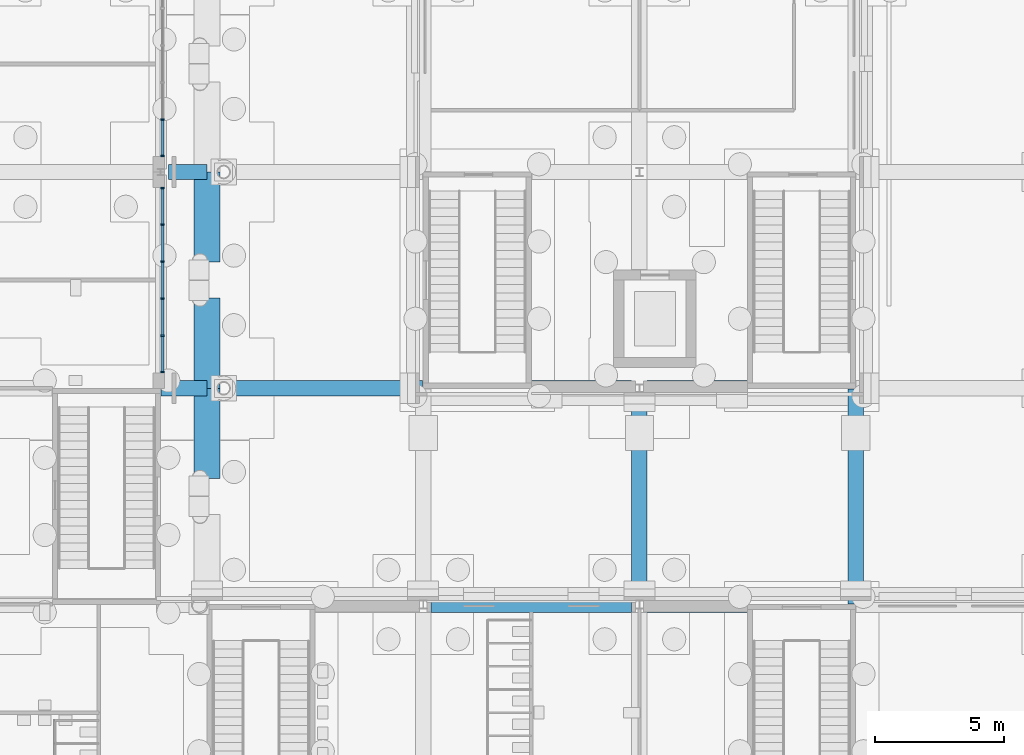
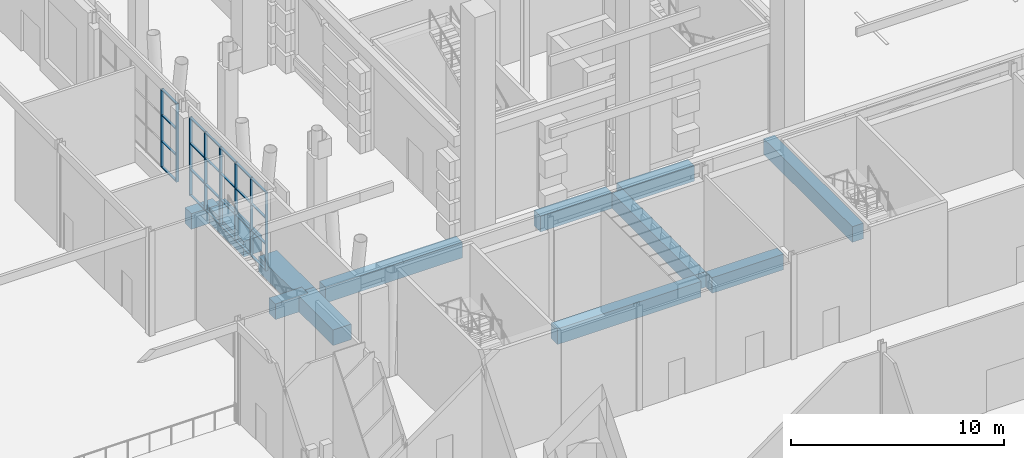
# One storey, part 51 of 222: 32 members, 12 beams, 2 elements without a shape of their own.
"""IFC4 building model written with IfcOpenShell, lengths in metres."""

from ifc_helpers import new_model, si_unit, direction, frame, origin, origin_2d, place, context, subcontext, project, spatial, rectangle, extrude, material, material_profile, profile_set, type_object, element, aggregate, save


model = new_model("IFC4")

# Units and contexts
model_context = context("Model", 3, precision=1e-05, world=origin(), true_north=direction((0.0, 1.0)))
body_context = subcontext(model_context, "Body", "Model", "MODEL_VIEW")
ifc_project = project(units=[si_unit("LENGTHUNIT", "METRE"), si_unit("AREAUNIT", "SQUARE_METRE"), si_unit("VOLUMEUNIT", "CUBIC_METRE"), si_unit("PLANEANGLEUNIT", "RADIAN"), si_unit("MASSUNIT", "GRAM", prefix="KILO")], contexts=[model_context])

# Site, building, storey
site_placement = place(None, origin())
site = spatial("IfcSite", under=ifc_project, at=site_placement, CompositionType="ELEMENT")
building_placement = place(site_placement, origin())
building = spatial("IfcBuilding", under=site, at=building_placement, Name="Sava Quay Ferry Terminal", CompositionType="ELEMENT")
storey_placement = place(building_placement, origin())
storey = spatial("IfcBuildingStorey", under=building, at=storey_placement, Name="L00", CompositionType="ELEMENT", Elevation=0.0)

# Curtain wall, members
ifc_material_1 = material(Name="Aluminium and glass curtain wall, double low-e glazed", Category="aluminium")
curtain_wall_type = type_object("IfcCurtainWallType", Name="Curtain wall CW-F flank", PredefinedType="NOTDEFINED", material=ifc_material_1)
curtain_wall_1_placement = place(storey_placement, origin())
curtain_wall_1 = element("IfcCurtainWall", 1, at=curtain_wall_1_placement, inside=storey, type_object=curtain_wall_type, Name="Curtain wall D-E L00 bay 2", PredefinedType="NOTDEFINED")
ifc_material_2 = material(Name="Aluminium EN AW-6063 T6", Category="aluminium")
ifc_material_profile_1 = material_profile(ifc_material_2, rectangle(XDim=0.14990234375, YDim=0.06005859375, at=origin_2d()), Name="Mullion 60x150 aluminium")
ifc_profile_set_1 = profile_set([ifc_material_profile_1], Name="Aluminium EN AW-6063 T6")
member_type_1 = type_object("IfcMemberType", Name="Mullion 60x150 aluminium", PredefinedType="MULLION", material=ifc_profile_set_1)
member_1_placement = place(storey_placement, frame((82.27490234375, 59.429931640625, 0.89990234375), z_axis=(0.0, 0.0, 1.0), x_axis=(-1.0, 0.0, 0.0)))
member_1 = element("IfcMember", 2, at=member_1_placement, type_object=member_type_1, Name="CW40 mullion 1", PredefinedType="MULLION", context=body_context, shape_type="SweptSolid", body=[
    extrude(rectangle(XDim=0.14990234375, YDim=0.06005859375, at=origin_2d()), origin(), (0.0, 0.0, 1.0), 4.5),
])
member_2_placement = place(storey_placement, frame((82.27490234375, 60.840087890625, 0.89990234375), z_axis=(0.0, 0.0, 1.0), x_axis=(-1.0, 0.0, 0.0)))
member_2 = element("IfcMember", 3, at=member_2_placement, type_object=member_type_1, Name="CW40 mullion 2", PredefinedType="MULLION", context=body_context, shape_type="SweptSolid", body=[
    extrude(rectangle(XDim=0.14990234375, YDim=0.06005859375, at=origin_2d()), origin(), (0.0, 0.0, 1.0), 4.5),
])
member_3_placement = place(storey_placement, frame((82.27490234375, 62.280029296875, 0.89990234375), z_axis=(0.0, 0.0, 1.0), x_axis=(-1.0, 0.0, 0.0)))
member_3 = element("IfcMember", 4, at=member_3_placement, type_object=member_type_1, Name="CW40 mullion 3", PredefinedType="MULLION", context=body_context, shape_type="SweptSolid", body=[
    extrude(rectangle(XDim=0.14990234375, YDim=0.06005859375, at=origin_2d()), origin(), (0.0, 0.0, 1.0), 4.5),
])
member_4_placement = place(storey_placement, frame((82.27490234375, 63.719970703125, 0.89990234375), z_axis=(0.0, 0.0, 1.0), x_axis=(-1.0, 0.0, 0.0)))
member_4 = element("IfcMember", 5, at=member_4_placement, type_object=member_type_1, Name="CW40 mullion 4", PredefinedType="MULLION", context=body_context, shape_type="SweptSolid", body=[
    extrude(rectangle(XDim=0.14990234375, YDim=0.06005859375, at=origin_2d()), origin(), (0.0, 0.0, 1.0), 4.5),
])
member_5_placement = place(storey_placement, frame((82.27490234375, 65.159912109375, 0.89990234375), z_axis=(0.0, 0.0, 1.0), x_axis=(-1.0, 0.0, 0.0)))
member_5 = element("IfcMember", 6, at=member_5_placement, type_object=member_type_1, Name="CW40 mullion 5", PredefinedType="MULLION", context=body_context, shape_type="SweptSolid", body=[
    extrude(rectangle(XDim=0.14990234375, YDim=0.06005859375, at=origin_2d()), origin(), (0.0, 0.0, 1.0), 4.5),
])
member_6_placement = place(storey_placement, frame((82.27490234375, 66.570068359375, 0.89990234375), z_axis=(0.0, 0.0, 1.0), x_axis=(-1.0, 0.0, 0.0)))
member_6 = element("IfcMember", 7, at=member_6_placement, type_object=member_type_1, Name="CW40 mullion 6", PredefinedType="MULLION", context=body_context, shape_type="SweptSolid", body=[
    extrude(rectangle(XDim=0.14990234375, YDim=0.06005859375, at=origin_2d()), origin(), (0.0, 0.0, 1.0), 4.5),
])

curtain_wall_2_placement = place(storey_placement, origin())
curtain_wall_2 = element("IfcCurtainWall", 8, at=curtain_wall_2_placement, inside=storey, type_object=curtain_wall_type, Name="Curtain wall D-E L00 bay 3", PredefinedType="NOTDEFINED")
member_7_placement = place(storey_placement, frame((82.27490234375, 67.830078125, 0.89990234375), z_axis=(0.0, 0.0, 1.0), x_axis=(-1.0, 0.0, 0.0)))
member_7 = element("IfcMember", 9, at=member_7_placement, type_object=member_type_1, Name="CW44 mullion 1", PredefinedType="MULLION", context=body_context, shape_type="SweptSolid", body=[
    extrude(rectangle(XDim=0.14990234375, YDim=0.06005859375, at=origin_2d()), origin(), (0.0, 0.0, 1.0), 4.5),
])
member_8_placement = place(storey_placement, frame((82.27490234375, 69.239990234375, 0.89990234375), z_axis=(0.0, 0.0, 1.0), x_axis=(-1.0, 0.0, 0.0)))
member_8 = element("IfcMember", 10, at=member_8_placement, type_object=member_type_1, Name="CW44 mullion 2", PredefinedType="MULLION", context=body_context, shape_type="SweptSolid", body=[
    extrude(rectangle(XDim=0.14990234375, YDim=0.06005859375, at=origin_2d()), origin(), (0.0, 0.0, 1.0), 4.5),
])

# Beams
ifc_material_3 = material(Name="Concrete C40/50", Category="concrete")
ifc_material_profile_2 = material_profile(ifc_material_3, rectangle(XDim=1.0, YDim=0.89990234375, at=origin_2d()), Name="RC 1000x900")
ifc_profile_set_2 = profile_set([ifc_material_profile_2], Name="Concrete C40/50")
beam_type_1 = type_object("IfcBeamType", Name="RC deck beam 1000x900", PredefinedType="BEAM", material=ifc_profile_set_2)
for number, where, z_axis, x_axis, name in (
    (11, (84.0, 55.300048828125, -0.89990234375), (0.0, 1.0, 0.0), (-1.0, 0.0, 0.0), "Deck beam Y84-50.4"),
    (12, (84.0, 58.800048828125, -0.89990234375), (0.0, 1.0, 0.0), (-1.0, 0.0, 0.0), "Deck beam Y84-58.8"),
    (13, (84.0, 63.699951171875, -0.89990234375), (0.0, 1.0, 0.0), (-1.0, 0.0, 0.0), "Deck beam Y84-58.8"),
):
    element("IfcBeam", number, at=place(storey_placement, frame(where, z_axis=z_axis, x_axis=x_axis)), inside=storey, type_object=beam_type_1, Name=name, PredefinedType="BEAM", context=body_context, shape_type="SweptSolid", body=[
        extrude(rectangle(XDim=1.0, YDim=0.89990234375, at=origin_2d()), origin(), (0.0, 0.0, 1.0), 3.5),
    ])
ifc_material_4 = material(Name="Concrete C40/50", Category="concrete")
ifc_material_profile_3 = material_profile(ifc_material_4, rectangle(XDim=0.60009765625, YDim=0.89990234375, at=origin_2d()), Name="RC 600x900")
ifc_profile_set_3 = profile_set([ifc_material_profile_3], Name="Concrete C40/50")
beam_type_2 = type_object("IfcBeamType", Name="RC deck beam 600x900", PredefinedType="BEAM", material=ifc_profile_set_3)
beam_1_placement = place(storey_placement, frame((92.699951171875, 50.39990234375, -0.89990234375), z_axis=(1.0, 0.0, 0.0), x_axis=(0.0, 1.0, 0.0)))
element("IfcBeam", 14, at=beam_1_placement, inside=storey, type_object=beam_type_2, Name="Deck beam X50.4-92.4", PredefinedType="BEAM", context=body_context, shape_type="SweptSolid", body=[
    extrude(rectangle(XDim=0.60009765625, YDim=0.89990234375, at=origin_2d()), origin(), (0.0, 0.0, 1.0), 7.800048828125),
])
beam_2_placement = place(storey_placement, frame((101.10009765625, 50.39990234375, -0.89990234375), z_axis=(1.0, 0.0, 0.0), x_axis=(0.0, 1.0, 0.0)))
element("IfcBeam", 15, at=beam_2_placement, inside=storey, type_object=beam_type_2, Name="Deck beam X50.4-100.8", PredefinedType="BEAM", context=body_context, shape_type="SweptSolid", body=[
    extrude(rectangle(XDim=0.60009765625, YDim=0.89990234375, at=origin_2d()), origin(), (0.0, 0.0, 1.0), 3.8798828125),
])
beam_3_placement = place(storey_placement, frame((82.219970703125, 58.800048828125, -0.89990234375), z_axis=(1.0, 0.0, 0.0), x_axis=(0.0, 1.0, 0.0)))
element("IfcBeam", 16, at=beam_3_placement, inside=storey, type_object=beam_type_2, Name="Deck beam X58.8-75.6", PredefinedType="BEAM", context=body_context, shape_type="SweptSolid", body=[
    extrude(rectangle(XDim=0.60009765625, YDim=0.89990234375, at=origin_2d()), origin(), (0.0, 0.0, 1.0), 1.780029296875),
])
beam_4_placement = place(storey_placement, frame((84.949951171875, 58.800048828125, -0.89990234375), z_axis=(1.0, 0.0, 0.0), x_axis=(0.0, 1.0, 0.0)))
element("IfcBeam", 17, at=beam_4_placement, inside=storey, type_object=beam_type_2, Name="Deck beam X58.8-84", PredefinedType="BEAM", context=body_context, shape_type="SweptSolid", body=[
    extrude(rectangle(XDim=0.60009765625, YDim=0.89990234375, at=origin_2d()), origin(), (0.0, 0.0, 1.0), 7.429931640625),
])
for number, where, z_axis, x_axis, name in (
    (18, (96.6201171875, 58.800048828125, -0.89990234375), (1.0, 0.0, 0.0), (0.0, 1.0, 0.0), "Deck beam X58.8-92.4"),
    (19, (101.10009765625, 58.800048828125, -0.89990234375), (1.0, 0.0, 0.0), (0.0, 1.0, 0.0), "Deck beam X58.8-100.8"),
):
    element("IfcBeam", number, at=place(storey_placement, frame(where, z_axis=z_axis, x_axis=x_axis)), inside=storey, type_object=beam_type_2, Name=name, PredefinedType="BEAM", context=body_context, shape_type="SweptSolid", body=[
        extrude(rectangle(XDim=0.60009765625, YDim=0.89990234375, at=origin_2d()), origin(), (0.0, 0.0, 1.0), 3.8798828125),
    ])
beam_5_placement = place(storey_placement, frame((82.5, 67.199951171875, -0.89990234375), z_axis=(1.0, 0.0, 0.0), x_axis=(0.0, 1.0, 0.0)))
element("IfcBeam", 20, at=beam_5_placement, inside=storey, type_object=beam_type_2, Name="Deck beam X67.2-75.6", PredefinedType="BEAM", context=body_context, shape_type="SweptSolid", body=[
    extrude(rectangle(XDim=0.60009765625, YDim=0.89990234375, at=origin_2d()), origin(), (0.0, 0.0, 1.0), 1.5),
])
beam_6_placement = place(storey_placement, frame((100.800048828125, 50.699951171875, -0.89990234375), z_axis=(0.0, 1.0, 0.0), x_axis=(-1.0, 0.0, 0.0)))
element("IfcBeam", 21, at=beam_6_placement, inside=storey, type_object=beam_type_2, Name="Deck beam Y100.8-50.4", PredefinedType="BEAM", context=body_context, shape_type="SweptSolid", body=[
    extrude(rectangle(XDim=0.60009765625, YDim=0.89990234375, at=origin_2d()), origin(), (0.0, 0.0, 1.0), 7.800048828125),
])
beam_7_placement = place(storey_placement, frame((109.199951171875, 50.419921875, -0.89990234375), z_axis=(0.0, 1.0, 0.0), x_axis=(-1.0, 0.0, 0.0)))
element("IfcBeam", 22, at=beam_7_placement, inside=storey, type_object=beam_type_2, Name="Deck beam Y109.2-50.4", PredefinedType="BEAM", context=body_context, shape_type="SweptSolid", body=[
    extrude(rectangle(XDim=0.60009765625, YDim=0.89990234375, at=origin_2d()), origin(), (0.0, 0.0, 1.0), 8.360107421875),
])

# Member
ifc_material_5 = material(Name="Aluminium EN AW-6063 T6", Category="aluminium")
ifc_material_profile_4 = material_profile(ifc_material_5, rectangle(XDim=0.1201171875, YDim=0.050048828125, at=origin_2d()), Name="Transom 50x120 aluminium")
ifc_profile_set_4 = profile_set([ifc_material_profile_4], Name="Aluminium EN AW-6063 T6")
member_type_2 = type_object("IfcMemberType", Name="Transom 50x120 aluminium", PredefinedType="USERDEFINED", material=ifc_profile_set_4)
member_9_placement = place(storey_placement, frame((82.27490234375, 59.4599609375, 0.925048828125), z_axis=(0.0, 1.0, 0.0), x_axis=(-1.0, 0.0, 0.0)))
member_9 = element("IfcMember", 23, at=member_9_placement, type_object=member_type_2, Name="CW40 transom 1.1", ObjectType="TRANSOM", PredefinedType="USERDEFINED", context=body_context, shape_type="SweptSolid", body=[
    extrude(rectangle(XDim=0.1201171875, YDim=0.050048828125, at=origin_2d()), origin(), (0.0, 0.0, 1.0), 1.35009765625),
])

member_10_placement = place(storey_placement, frame((82.27490234375, 59.4599609375, 2.39990234375), z_axis=(0.0, 1.0, 0.0), x_axis=(-1.0, 0.0, 0.0)))
member_10 = element("IfcMember", 24, at=member_10_placement, type_object=member_type_2, Name="CW40 transom 1.2", ObjectType="TRANSOM", PredefinedType="USERDEFINED", context=body_context, shape_type="SweptSolid", body=[
    extrude(rectangle(XDim=0.1201171875, YDim=0.050048828125, at=origin_2d()), origin(), (0.0, 0.0, 1.0), 1.35009765625),
])

member_11_placement = place(storey_placement, frame((82.27490234375, 59.4599609375, 3.89990234375), z_axis=(0.0, 1.0, 0.0), x_axis=(-1.0, 0.0, 0.0)))
member_11 = element("IfcMember", 25, at=member_11_placement, type_object=member_type_2, Name="CW40 transom 1.3", ObjectType="TRANSOM", PredefinedType="USERDEFINED", context=body_context, shape_type="SweptSolid", body=[
    extrude(rectangle(XDim=0.1201171875, YDim=0.050048828125, at=origin_2d()), origin(), (0.0, 0.0, 1.0), 1.35009765625),
])

member_12_placement = place(storey_placement, frame((82.27490234375, 59.4599609375, 5.375), z_axis=(0.0, 1.0, 0.0), x_axis=(-1.0, 0.0, 0.0)))
member_12 = element("IfcMember", 26, at=member_12_placement, type_object=member_type_2, Name="CW40 transom 1.4", ObjectType="TRANSOM", PredefinedType="USERDEFINED", context=body_context, shape_type="SweptSolid", body=[
    extrude(rectangle(XDim=0.1201171875, YDim=0.050048828125, at=origin_2d()), origin(), (0.0, 0.0, 1.0), 1.35009765625),
])

member_13_placement = place(storey_placement, frame((82.27490234375, 60.8701171875, 0.925048828125), z_axis=(0.0, 1.0, 0.0), x_axis=(-1.0, 0.0, 0.0)))
member_13 = element("IfcMember", 27, at=member_13_placement, type_object=member_type_2, Name="CW40 transom 2.1", ObjectType="TRANSOM", PredefinedType="USERDEFINED", context=body_context, shape_type="SweptSolid", body=[
    extrude(rectangle(XDim=0.1201171875, YDim=0.050048828125, at=origin_2d()), origin(), (0.0, 0.0, 1.0), 1.3798828125),
])

member_14_placement = place(storey_placement, frame((82.27490234375, 60.8701171875, 2.39990234375), z_axis=(0.0, 1.0, 0.0), x_axis=(-1.0, 0.0, 0.0)))
member_14 = element("IfcMember", 28, at=member_14_placement, type_object=member_type_2, Name="CW40 transom 2.2", ObjectType="TRANSOM", PredefinedType="USERDEFINED", context=body_context, shape_type="SweptSolid", body=[
    extrude(rectangle(XDim=0.1201171875, YDim=0.050048828125, at=origin_2d()), origin(), (0.0, 0.0, 1.0), 1.3798828125),
])

member_15_placement = place(storey_placement, frame((82.27490234375, 60.8701171875, 3.89990234375), z_axis=(0.0, 1.0, 0.0), x_axis=(-1.0, 0.0, 0.0)))
member_15 = element("IfcMember", 29, at=member_15_placement, type_object=member_type_2, Name="CW40 transom 2.3", ObjectType="TRANSOM", PredefinedType="USERDEFINED", context=body_context, shape_type="SweptSolid", body=[
    extrude(rectangle(XDim=0.1201171875, YDim=0.050048828125, at=origin_2d()), origin(), (0.0, 0.0, 1.0), 1.3798828125),
])

member_16_placement = place(storey_placement, frame((82.27490234375, 60.8701171875, 5.375), z_axis=(0.0, 1.0, 0.0), x_axis=(-1.0, 0.0, 0.0)))
member_16 = element("IfcMember", 30, at=member_16_placement, type_object=member_type_2, Name="CW40 transom 2.4", ObjectType="TRANSOM", PredefinedType="USERDEFINED", context=body_context, shape_type="SweptSolid", body=[
    extrude(rectangle(XDim=0.1201171875, YDim=0.050048828125, at=origin_2d()), origin(), (0.0, 0.0, 1.0), 1.3798828125),
])

member_17_placement = place(storey_placement, frame((82.27490234375, 62.31005859375, 0.925048828125), z_axis=(0.0, 1.0, 0.0), x_axis=(-1.0, 0.0, 0.0)))
member_17 = element("IfcMember", 31, at=member_17_placement, type_object=member_type_2, Name="CW40 transom 3.1", ObjectType="TRANSOM", PredefinedType="USERDEFINED", context=body_context, shape_type="SweptSolid", body=[
    extrude(rectangle(XDim=0.1201171875, YDim=0.050048828125, at=origin_2d()), origin(), (0.0, 0.0, 1.0), 1.3798828125),
])

member_18_placement = place(storey_placement, frame((82.27490234375, 62.31005859375, 2.39990234375), z_axis=(0.0, 1.0, 0.0), x_axis=(-1.0, 0.0, 0.0)))
member_18 = element("IfcMember", 32, at=member_18_placement, type_object=member_type_2, Name="CW40 transom 3.2", ObjectType="TRANSOM", PredefinedType="USERDEFINED", context=body_context, shape_type="SweptSolid", body=[
    extrude(rectangle(XDim=0.1201171875, YDim=0.050048828125, at=origin_2d()), origin(), (0.0, 0.0, 1.0), 1.3798828125),
])

member_19_placement = place(storey_placement, frame((82.27490234375, 62.31005859375, 3.89990234375), z_axis=(0.0, 1.0, 0.0), x_axis=(-1.0, 0.0, 0.0)))
member_19 = element("IfcMember", 33, at=member_19_placement, type_object=member_type_2, Name="CW40 transom 3.3", ObjectType="TRANSOM", PredefinedType="USERDEFINED", context=body_context, shape_type="SweptSolid", body=[
    extrude(rectangle(XDim=0.1201171875, YDim=0.050048828125, at=origin_2d()), origin(), (0.0, 0.0, 1.0), 1.3798828125),
])

member_20_placement = place(storey_placement, frame((82.27490234375, 62.31005859375, 5.375), z_axis=(0.0, 1.0, 0.0), x_axis=(-1.0, 0.0, 0.0)))
member_20 = element("IfcMember", 34, at=member_20_placement, type_object=member_type_2, Name="CW40 transom 3.4", ObjectType="TRANSOM", PredefinedType="USERDEFINED", context=body_context, shape_type="SweptSolid", body=[
    extrude(rectangle(XDim=0.1201171875, YDim=0.050048828125, at=origin_2d()), origin(), (0.0, 0.0, 1.0), 1.3798828125),
])

member_21_placement = place(storey_placement, frame((82.27490234375, 63.75, 0.925048828125), z_axis=(0.0, 1.0, 0.0), x_axis=(-1.0, 0.0, 0.0)))
member_21 = element("IfcMember", 35, at=member_21_placement, type_object=member_type_2, Name="CW40 transom 4.1", ObjectType="TRANSOM", PredefinedType="USERDEFINED", context=body_context, shape_type="SweptSolid", body=[
    extrude(rectangle(XDim=0.1201171875, YDim=0.050048828125, at=origin_2d()), origin(), (0.0, 0.0, 1.0), 1.3798828125),
])

member_22_placement = place(storey_placement, frame((82.27490234375, 63.75, 2.39990234375), z_axis=(0.0, 1.0, 0.0), x_axis=(-1.0, 0.0, 0.0)))
member_22 = element("IfcMember", 36, at=member_22_placement, type_object=member_type_2, Name="CW40 transom 4.2", ObjectType="TRANSOM", PredefinedType="USERDEFINED", context=body_context, shape_type="SweptSolid", body=[
    extrude(rectangle(XDim=0.1201171875, YDim=0.050048828125, at=origin_2d()), origin(), (0.0, 0.0, 1.0), 1.3798828125),
])

member_23_placement = place(storey_placement, frame((82.27490234375, 63.75, 3.89990234375), z_axis=(0.0, 1.0, 0.0), x_axis=(-1.0, 0.0, 0.0)))
member_23 = element("IfcMember", 37, at=member_23_placement, type_object=member_type_2, Name="CW40 transom 4.3", ObjectType="TRANSOM", PredefinedType="USERDEFINED", context=body_context, shape_type="SweptSolid", body=[
    extrude(rectangle(XDim=0.1201171875, YDim=0.050048828125, at=origin_2d()), origin(), (0.0, 0.0, 1.0), 1.3798828125),
])

member_24_placement = place(storey_placement, frame((82.27490234375, 63.75, 5.375), z_axis=(0.0, 1.0, 0.0), x_axis=(-1.0, 0.0, 0.0)))
member_24 = element("IfcMember", 38, at=member_24_placement, type_object=member_type_2, Name="CW40 transom 4.4", ObjectType="TRANSOM", PredefinedType="USERDEFINED", context=body_context, shape_type="SweptSolid", body=[
    extrude(rectangle(XDim=0.1201171875, YDim=0.050048828125, at=origin_2d()), origin(), (0.0, 0.0, 1.0), 1.3798828125),
])

member_25_placement = place(storey_placement, frame((82.27490234375, 65.18994140625, 0.925048828125), z_axis=(0.0, 1.0, 0.0), x_axis=(-1.0, 0.0, 0.0)))
member_25 = element("IfcMember", 39, at=member_25_placement, type_object=member_type_2, Name="CW40 transom 5.1", ObjectType="TRANSOM", PredefinedType="USERDEFINED", context=body_context, shape_type="SweptSolid", body=[
    extrude(rectangle(XDim=0.1201171875, YDim=0.050048828125, at=origin_2d()), origin(), (0.0, 0.0, 1.0), 1.35009765625),
])

member_26_placement = place(storey_placement, frame((82.27490234375, 65.18994140625, 2.39990234375), z_axis=(0.0, 1.0, 0.0), x_axis=(-1.0, 0.0, 0.0)))
member_26 = element("IfcMember", 40, at=member_26_placement, type_object=member_type_2, Name="CW40 transom 5.2", ObjectType="TRANSOM", PredefinedType="USERDEFINED", context=body_context, shape_type="SweptSolid", body=[
    extrude(rectangle(XDim=0.1201171875, YDim=0.050048828125, at=origin_2d()), origin(), (0.0, 0.0, 1.0), 1.35009765625),
])

member_27_placement = place(storey_placement, frame((82.27490234375, 65.18994140625, 3.89990234375), z_axis=(0.0, 1.0, 0.0), x_axis=(-1.0, 0.0, 0.0)))
member_27 = element("IfcMember", 41, at=member_27_placement, type_object=member_type_2, Name="CW40 transom 5.3", ObjectType="TRANSOM", PredefinedType="USERDEFINED", context=body_context, shape_type="SweptSolid", body=[
    extrude(rectangle(XDim=0.1201171875, YDim=0.050048828125, at=origin_2d()), origin(), (0.0, 0.0, 1.0), 1.35009765625),
])

member_28_placement = place(storey_placement, frame((82.27490234375, 65.18994140625, 5.375), z_axis=(0.0, 1.0, 0.0), x_axis=(-1.0, 0.0, 0.0)))
member_28 = element("IfcMember", 42, at=member_28_placement, type_object=member_type_2, Name="CW40 transom 5.4", ObjectType="TRANSOM", PredefinedType="USERDEFINED", context=body_context, shape_type="SweptSolid", body=[
    extrude(rectangle(XDim=0.1201171875, YDim=0.050048828125, at=origin_2d()), origin(), (0.0, 0.0, 1.0), 1.35009765625),
])

aggregate(curtain_wall_1, [member_1, member_2, member_3, member_4, member_5, member_6, member_9, member_10, member_11, member_12, member_13, member_14, member_15, member_16, member_17, member_18, member_19, member_20, member_21, member_22, member_23, member_24, member_25, member_26, member_27, member_28])

member_29_placement = place(storey_placement, frame((82.27490234375, 67.860107421875, 0.925048828125), z_axis=(0.0, 1.0, 0.0), x_axis=(-1.0, 0.0, 0.0)))
member_29 = element("IfcMember", 43, at=member_29_placement, type_object=member_type_2, Name="CW44 transom 1.1", ObjectType="TRANSOM", PredefinedType="USERDEFINED", context=body_context, shape_type="SweptSolid", body=[
    extrude(rectangle(XDim=0.1201171875, YDim=0.050048828125, at=origin_2d()), origin(), (0.0, 0.0, 1.0), 1.349853515625),
])

member_30_placement = place(storey_placement, frame((82.27490234375, 67.860107421875, 2.39990234375), z_axis=(0.0, 1.0, 0.0), x_axis=(-1.0, 0.0, 0.0)))
member_30 = element("IfcMember", 44, at=member_30_placement, type_object=member_type_2, Name="CW44 transom 1.2", ObjectType="TRANSOM", PredefinedType="USERDEFINED", context=body_context, shape_type="SweptSolid", body=[
    extrude(rectangle(XDim=0.1201171875, YDim=0.050048828125, at=origin_2d()), origin(), (0.0, 0.0, 1.0), 1.349853515625),
])

member_31_placement = place(storey_placement, frame((82.27490234375, 67.860107421875, 3.89990234375), z_axis=(0.0, 1.0, 0.0), x_axis=(-1.0, 0.0, 0.0)))
member_31 = element("IfcMember", 45, at=member_31_placement, type_object=member_type_2, Name="CW44 transom 1.3", ObjectType="TRANSOM", PredefinedType="USERDEFINED", context=body_context, shape_type="SweptSolid", body=[
    extrude(rectangle(XDim=0.1201171875, YDim=0.050048828125, at=origin_2d()), origin(), (0.0, 0.0, 1.0), 1.349853515625),
])

member_32_placement = place(storey_placement, frame((82.27490234375, 67.860107421875, 5.375), z_axis=(0.0, 1.0, 0.0), x_axis=(-1.0, 0.0, 0.0)))
member_32 = element("IfcMember", 46, at=member_32_placement, type_object=member_type_2, Name="CW44 transom 1.4", ObjectType="TRANSOM", PredefinedType="USERDEFINED", context=body_context, shape_type="SweptSolid", body=[
    extrude(rectangle(XDim=0.1201171875, YDim=0.050048828125, at=origin_2d()), origin(), (0.0, 0.0, 1.0), 1.349853515625),
])

aggregate(curtain_wall_2, [member_7, member_8, member_29, member_30, member_31, member_32])

save(model, "model.ifc")
